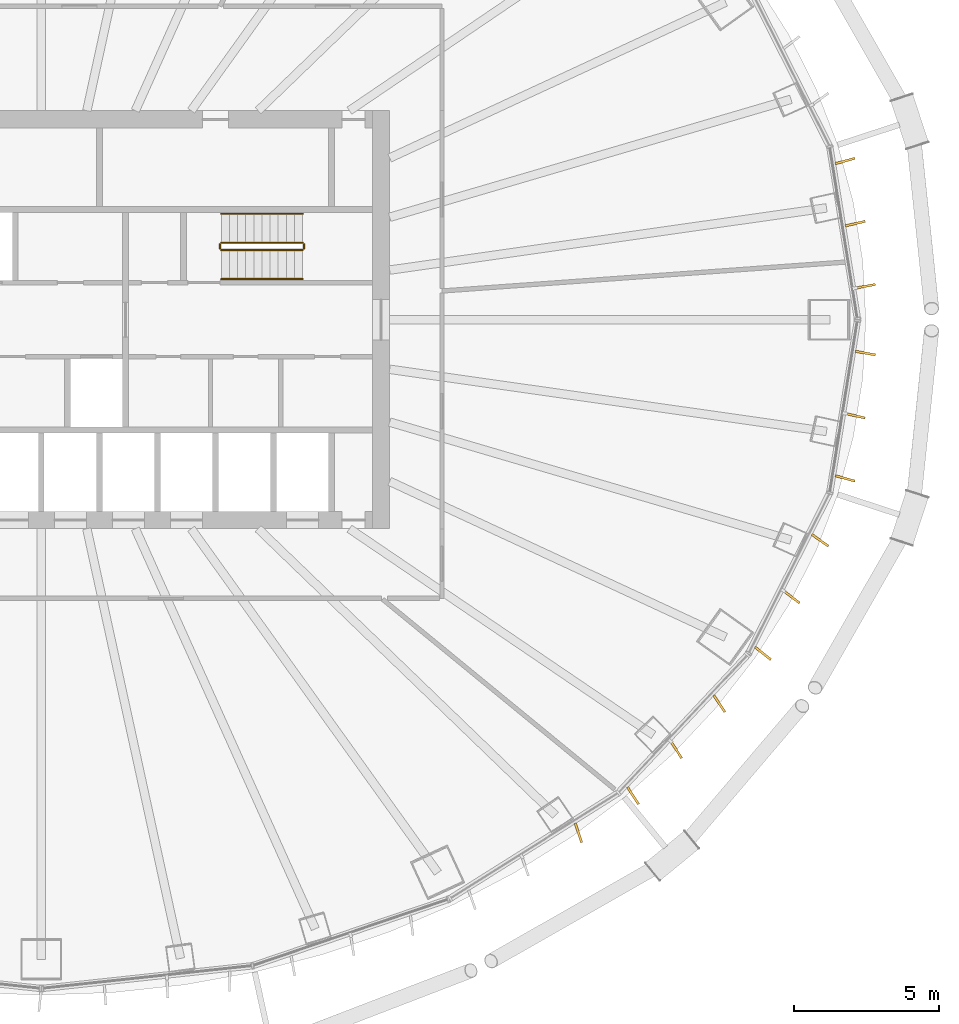
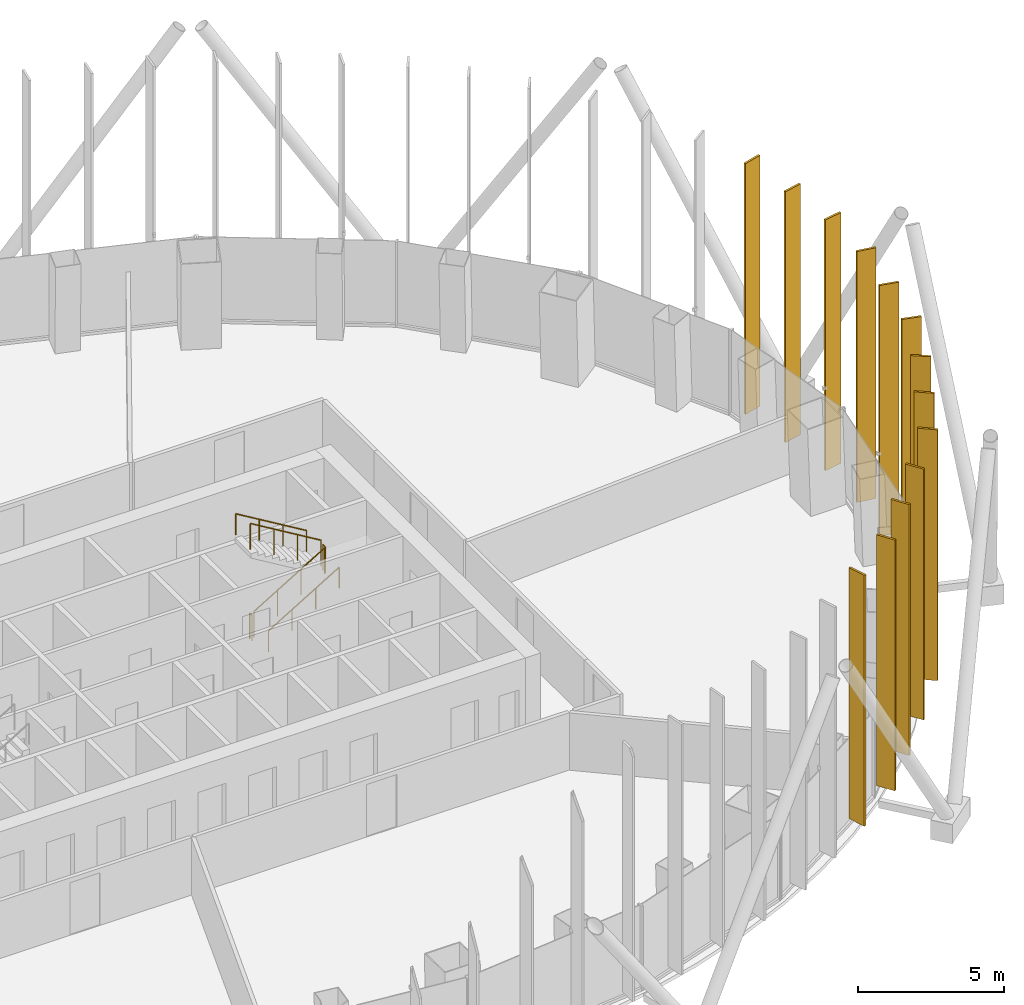
# One storey, part 21 of 22: 13 shading devices, 6 railings.
"""IFC4 building model written with IfcOpenShell, lengths in metres."""

from ifc_helpers import new_model, si_unit, direction, frame, origin, origin_2d, place, context, subcontext, project, spatial, rectangle, circle, extrude, material, layer, layer_set, type_object, element, save


model = new_model("IFC4")

# Units and contexts
model_context = context("Model", 3, precision=1e-05, world=origin(), true_north=direction((0.0, 1.0)))
body_context = subcontext(model_context, "Body", "Model", "MODEL_VIEW")
ifc_project = project(units=[si_unit("LENGTHUNIT", "METRE"), si_unit("AREAUNIT", "SQUARE_METRE"), si_unit("VOLUMEUNIT", "CUBIC_METRE"), si_unit("PLANEANGLEUNIT", "RADIAN"), si_unit("MASSUNIT", "GRAM", prefix="KILO")], contexts=[model_context])

# Site, building, storey
site_placement = place(None, origin())
site = spatial("IfcSite", under=ifc_project, at=site_placement, CompositionType="ELEMENT")
building_placement = place(site_placement, origin())
building = spatial("IfcBuilding", under=site, at=building_placement, Name="Siaravel Broadcast Tower", CompositionType="ELEMENT")
storey_placement = place(building_placement, frame((0.0, 0.0, 37.10009765625)))
storey = spatial("IfcBuildingStorey", under=building, at=storey_placement, Name="L07", CompositionType="ELEMENT", Elevation=37.10009765625)

# Shading devices
ifc_material_1 = material(Name="Bronze anodised aluminium", Category="aluminium")
ifc_layer = layer(ifc_material_1, 0.080078125)
ifc_layer_set = layer_set([ifc_layer], Name="Bronze anodised aluminium")
shading_device_type = type_object("IfcShadingDeviceType", Name="Bronze fin zone 1", PredefinedType="USERDEFINED", material=ifc_layer_set)
for number, where, z_axis, x_axis, name in (
    (1, (28.384765625, 1.150634765625, 0.2998046875), (0.0, 0.0, 1.0), (0.983449316, 0.18118345, 0.0), "Bronze fin L07-01"),
    (2, (28.037109375, 3.3095703125, 0.2998046875), (0.0, 0.0, 1.0), (0.974237585, 0.225524116, 0.0), "Bronze fin L07-02"),
    (3, (27.68896484375, 5.467529296875, 0.2998046875), (0.0, 0.0, 1.0), (0.963699451, 0.266989453, 0.0), "Bronze fin L07-03"),
    (4, (18.501953125, -17.676025390625, 0.2998046875), (0.0, 0.0, 1.0), (0.313738915, -0.949509291, 0.0), "Bronze fin L07-65"),
    (5, (20.381591796875, -16.396484375, 0.2998046875), (0.0, 0.0, 1.0), (0.542812442, -0.839853947, 0.0), "Bronze fin L07-66"),
    (6, (21.8671875, -14.81103515625, 0.2998046875), (0.0, 0.0, 1.0), (0.546869332, -0.837217973, 0.0), "Bronze fin L07-67"),
    (7, (23.35498046875, -13.224365234375, 0.2998046875), (0.0, 0.0, 1.0), (0.556990135, -0.830519109, 0.0), "Bronze fin L07-68"),
    (8, (24.856201171875, -11.4921875, 0.2998046875), (0.0, 0.0, 1.0), (0.779806914, -0.626020109, 0.0), "Bronze fin L07-69"),
    (9, (25.841552734375, -9.54736328125, 0.2998046875), (0.0, 0.0, 1.0), (0.796221689, -0.605004977, 0.0), "Bronze fin L07-70"),
    (10, (26.828125, -7.600830078125, 0.2998046875), (0.0, 0.0, 1.0), (0.815676422, -0.578508404, 0.0), "Bronze fin L07-71"),
    (11, (27.68896484375, -5.467529296875, 0.2998046875), (0.0, 0.0, 1.0), (0.963699451, -0.266989453, 0.0), "Bronze fin L07-72"),
    (12, (28.037109375, -3.3095703125, 0.2998046875), (0.0, 0.0, 1.0), (0.974237585, -0.225524116, 0.0), "Bronze fin L07-73"),
    (13, (28.384765625, -1.150634765625, 0.2998046875), (0.0, 0.0, 1.0), (0.983449316, -0.18118345, 0.0), "Bronze fin L07-74"),
):
    element("IfcShadingDevice", number, at=place(storey_placement, frame(where, z_axis=z_axis, x_axis=x_axis)), inside=storey, type_object=shading_device_type, Name=name, ObjectType="FIN", PredefinedType="USERDEFINED", context=body_context, shape_type="SweptSolid", body=[
        extrude(rectangle(XDim=0.699951171875, YDim=0.080078125, at=origin_2d()), origin(), (0.0, 0.0, 1.0), 10.5),
    ])

# Railings
ifc_material_2 = material(Name="Stainless steel 316L", Category="steel")
railing_type_1 = type_object("IfcRailingType", Name="Stair guard 1100", PredefinedType="GUARDRAIL", material=ifc_material_2)
railing_1_placement = place(storey_placement, frame((6.199951171875, 2.39990234375, 0.16796875)))
element("IfcRailing", 14, at=railing_1_placement, inside=storey, type_object=railing_type_1, Name="L07 ST-2 stair guard 1", PredefinedType="GUARDRAIL", context=body_context, shape_type="SweptSolid", body=[
    extrude(circle(Radius=0.02392578125, at=origin_2d()), frame((0.0, 0.0, 1.076171875), z_axis=(0.857242211, 0.0, 0.514913383), x_axis=(0.0, 1.0, 0.0)), (0.0, 0.0, 1.0), 3.266357421875),
    extrude(circle(Radius=0.02099609375, at=origin_2d()), origin(), (0.0, 0.0, 1.0), 1.052001953125),
    extrude(circle(Radius=0.02099609375, at=origin_2d()), frame((0.933349609375, 0.0, 0.560546875)), (0.0, 0.0, 1.0), 1.052001953125),
    extrude(circle(Radius=0.02099609375, at=origin_2d()), frame((1.86669921875, 0.0, 1.121337890625)), (0.0, 0.0, 1.0), 1.052001953125),
    extrude(circle(Radius=0.02099609375, at=origin_2d()), frame((2.800048828125, 0.0, 1.681884765625)), (0.0, 0.0, 1.0), 1.052001953125),
])
railing_2_placement = place(storey_placement, frame((9.050048828125, 2.449951171875, 1.849853515625)))
element("IfcRailing", 15, at=railing_2_placement, inside=storey, type_object=railing_type_1, Name="L07 ST-2 stair guard 2", PredefinedType="GUARDRAIL", context=body_context, shape_type="SweptSolid", body=[
    extrude(circle(Radius=0.02392578125, at=origin_2d()), frame((0.0, 0.0, 1.076171875), z_axis=(0.0, 1.0, 0.0), x_axis=(-1.0, 0.0, 0.0)), (0.0, 0.0, 1.0), 0.150146484375),
    extrude(circle(Radius=0.02099609375, at=origin_2d()), origin(), (0.0, 0.0, 1.0), 1.052001953125),
    extrude(circle(Radius=0.02099609375, at=origin_2d()), frame((0.0, 0.150146484375, 0.0)), (0.0, 0.0, 1.0), 1.052001953125),
])
railing_3_placement = place(storey_placement, frame((9.0, 2.64990234375, 2.01806640625)))
element("IfcRailing", 16, at=railing_3_placement, inside=storey, type_object=railing_type_1, Name="L07 ST-2 stair guard 3", PredefinedType="GUARDRAIL", context=body_context, shape_type="SweptSolid", body=[
    extrude(circle(Radius=0.02392578125, at=origin_2d()), frame((0.0, 0.0, 1.076171875), z_axis=(-0.857242211, 0.0, 0.514913383), x_axis=(0.0, -1.0, 0.0)), (0.0, 0.0, 1.0), 3.266357421875),
    extrude(circle(Radius=0.02099609375, at=origin_2d()), origin(), (0.0, 0.0, 1.0), 1.052001953125),
    extrude(circle(Radius=0.02099609375, at=origin_2d()), frame((-0.933349609375, 0.0, 0.560546875)), (0.0, 0.0, 1.0), 1.052001953125),
    extrude(circle(Radius=0.02099609375, at=origin_2d()), frame((-1.86669921875, 0.0, 1.121337890625)), (0.0, 0.0, 1.0), 1.052001953125),
    extrude(circle(Radius=0.02099609375, at=origin_2d()), frame((-2.800048828125, 0.0, 1.681884765625)), (0.0, 0.0, 1.0), 1.052001953125),
])
railing_4_placement = place(storey_placement, frame((6.14990234375, 2.449951171875, 0.0)))
element("IfcRailing", 17, at=railing_4_placement, inside=storey, type_object=railing_type_1, Name="L07 ST-2 stair guard 4", PredefinedType="GUARDRAIL", context=body_context, shape_type="SweptSolid", body=[
    extrude(circle(Radius=0.02392578125, at=origin_2d()), frame((0.0, 0.0, 1.076171875), z_axis=(0.0, 1.0, 0.0), x_axis=(-1.0, 0.0, 0.0)), (0.0, 0.0, 1.0), 0.150146484375),
    extrude(circle(Radius=0.02099609375, at=origin_2d()), origin(), (0.0, 0.0, 1.0), 1.052001953125),
    extrude(circle(Radius=0.02099609375, at=origin_2d()), frame((0.0, 0.150146484375, 0.0)), (0.0, 0.0, 1.0), 1.052001953125),
])
railing_type_2 = type_object("IfcRailingType", Name="Stair handrail 900", PredefinedType="HANDRAIL", material=ifc_material_2)
railing_5_placement = place(storey_placement, frame((6.199951171875, 1.39990234375, 0.16796875)))
element("IfcRailing", 18, at=railing_5_placement, inside=storey, type_object=railing_type_2, Name="L07 ST-2 stair handrail 1", PredefinedType="HANDRAIL", context=body_context, shape_type="SweptSolid", body=[
    extrude(circle(Radius=0.02392578125, at=origin_2d()), frame((0.0, 0.0, 0.8759765625), z_axis=(0.857242211, 0.0, 0.514913383), x_axis=(0.0, 1.0, 0.0)), (0.0, 0.0, 1.0), 3.266357421875),
    extrude(circle(Radius=0.02099609375, at=origin_2d()), origin(), (0.0, 0.0, 1.0), 0.851806640625),
    extrude(circle(Radius=0.02099609375, at=origin_2d()), frame((0.933349609375, 0.0, 0.560546875)), (0.0, 0.0, 1.0), 0.851806640625),
    extrude(circle(Radius=0.02099609375, at=origin_2d()), frame((1.86669921875, 0.0, 1.121337890625)), (0.0, 0.0, 1.0), 0.851806640625),
    extrude(circle(Radius=0.02099609375, at=origin_2d()), frame((2.800048828125, 0.0, 1.681884765625)), (0.0, 0.0, 1.0), 0.851806640625),
])
railing_6_placement = place(storey_placement, frame((9.0, 3.64990234375, 2.01806640625)))
element("IfcRailing", 19, at=railing_6_placement, inside=storey, type_object=railing_type_2, Name="L07 ST-2 stair handrail 2", PredefinedType="HANDRAIL", context=body_context, shape_type="SweptSolid", body=[
    extrude(circle(Radius=0.02392578125, at=origin_2d()), frame((0.0, 0.0, 0.8759765625), z_axis=(-0.857242211, 0.0, 0.514913383), x_axis=(0.0, -1.0, 0.0)), (0.0, 0.0, 1.0), 3.266357421875),
    extrude(circle(Radius=0.02099609375, at=origin_2d()), origin(), (0.0, 0.0, 1.0), 0.851806640625),
    extrude(circle(Radius=0.02099609375, at=origin_2d()), frame((-0.933349609375, 0.0, 0.560546875)), (0.0, 0.0, 1.0), 0.851806640625),
    extrude(circle(Radius=0.02099609375, at=origin_2d()), frame((-1.86669921875, 0.0, 1.121337890625)), (0.0, 0.0, 1.0), 0.851806640625),
    extrude(circle(Radius=0.02099609375, at=origin_2d()), frame((-2.800048828125, 0.0, 1.681884765625)), (0.0, 0.0, 1.0), 0.851806640625),
])

save(model, "model.ifc")
